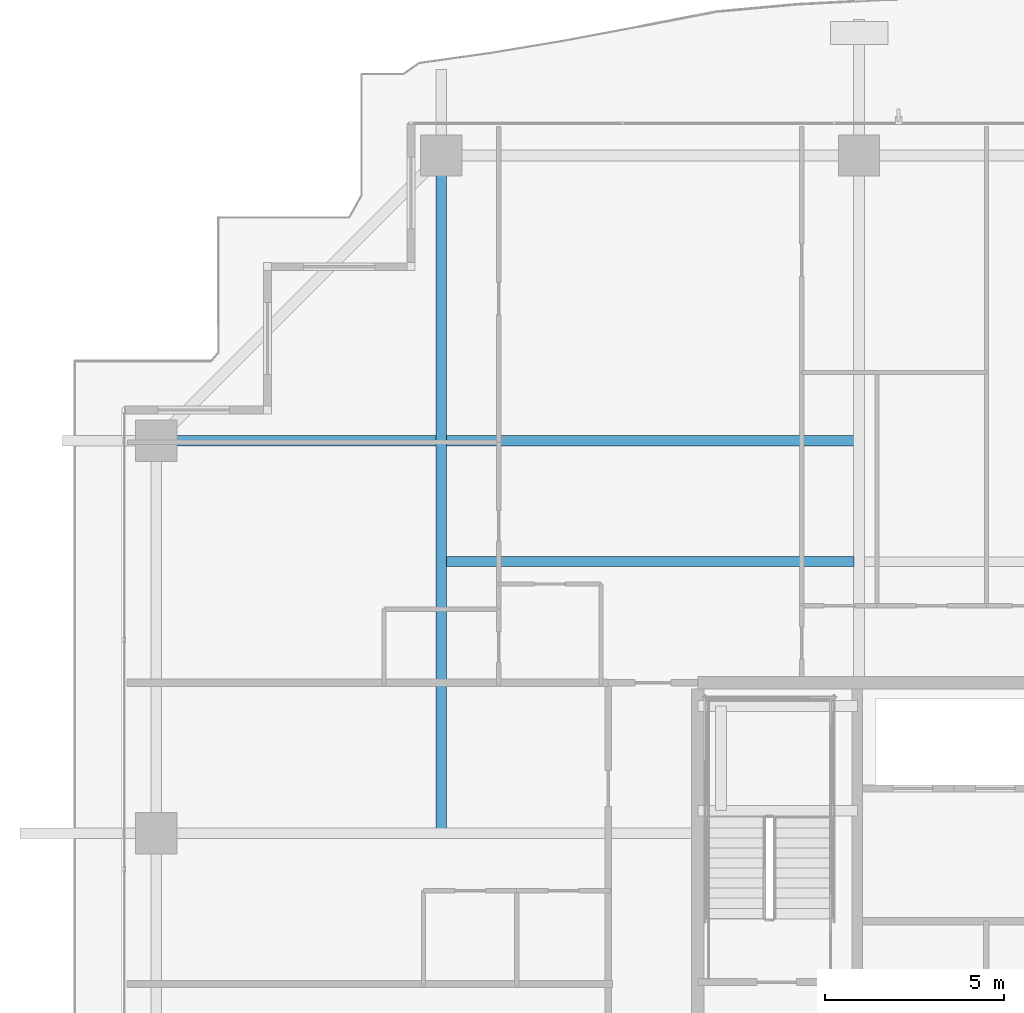
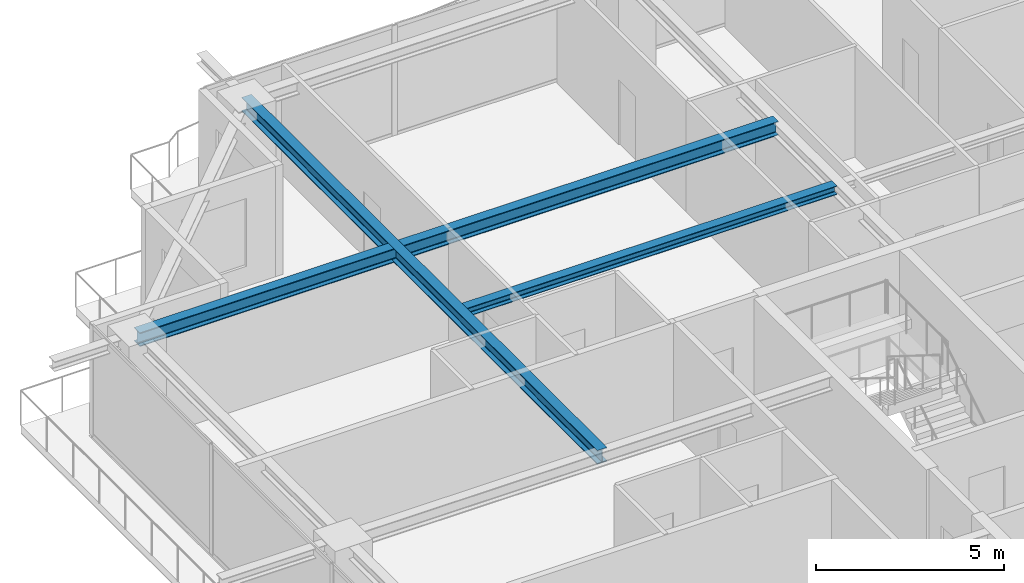
# One storey, part 17 of 38: 3 beams.
"""IFC4 building model written with IfcOpenShell, lengths in metres."""

from ifc_helpers import new_model, si_unit, direction, frame, origin, origin_2d, place, context, subcontext, project, spatial, i_section, extrude, source, transform, mapped, material, material_profile, profile_set, type_object, element, save


model = new_model("IFC4")

# Units and contexts
model_context = context("Model", 3, precision=1e-05, world=origin(), true_north=direction((0.0, 1.0)))
body_context = subcontext(model_context, "Body", "Model", "MODEL_VIEW")
ifc_project = project(units=[si_unit("LENGTHUNIT", "METRE"), si_unit("AREAUNIT", "SQUARE_METRE"), si_unit("VOLUMEUNIT", "CUBIC_METRE"), si_unit("PLANEANGLEUNIT", "RADIAN"), si_unit("MASSUNIT", "GRAM", prefix="KILO")], contexts=[model_context])

# Site, building, storey
site_placement = place(None, origin())
site = spatial("IfcSite", under=ifc_project, at=site_placement, CompositionType="ELEMENT")
building_placement = place(site_placement, origin())
building = spatial("IfcBuilding", under=site, at=building_placement, Name="Serunith Strait Residences", CompositionType="ELEMENT")
storey_placement = place(building_placement, frame((0.0, 0.0, 264.35009765625)))
storey = spatial("IfcBuildingStorey", under=building, at=storey_placement, Name="L66", CompositionType="ELEMENT", Elevation=264.35009765625)

# Beams
ifc_material = material(Name="Steel S355J2", Category="steel")
ifc_material_profile_1 = material_profile(ifc_material, i_section(OverallWidth=0.300048828125, OverallDepth=0.449951171875, WebThickness=0.013916015625, FlangeThickness=0.02587890625, FilletRadius=0.027099609375, at=origin_2d()), Name="HEB 450")
ifc_profile_set_1 = profile_set([ifc_material_profile_1], Name="Steel S355J2")
beam_type_1 = type_object("IfcBeamType", Name="BM-HEB450", PredefinedType="BEAM", material=ifc_profile_set_1)
shared_shape_1 = source(origin(), body_context, "Body", "SweptSolid", [
    extrude(i_section(OverallWidth=0.300048828125, OverallDepth=0.449951171875, WebThickness=0.013916015625, FlangeThickness=0.02587890625, FilletRadius=0.027099609375, at=origin_2d()), origin(), (0.0, 0.0, 1.0), 18.900146484375),
])
beam_1_placement = place(storey_placement, frame((16.25, 29.39990234375, 3.36181640625), z_axis=(0.0, 1.0, 0.0), x_axis=(-1.0, 0.0, 0.0)))
element("IfcBeam", 1, at=beam_1_placement, inside=storey, type_object=beam_type_1, Name="L66 Orthogonal Corner Girder TC-N1", PredefinedType="BEAM", context=body_context, shape_type="MappedRepresentation", body=[
    mapped(shared_shape_1, transform((0.0, 0.0, 0.0), scale=1.0)),
])
shared_shape_2 = source(origin(), body_context, "Body", "SweptSolid", [
    extrude(i_section(OverallWidth=0.300048828125, OverallDepth=0.449951171875, WebThickness=0.013916015625, FlangeThickness=0.02587890625, FilletRadius=0.027099609375, at=origin_2d()), origin(), (0.0, 0.0, 1.0), 19.599853515625),
])
beam_2_placement = place(storey_placement, frame((27.89990234375, 40.35009765625, 3.36181640625), z_axis=(-1.0, 0.0, 0.0), x_axis=(0.0, -1.0, 0.0)))
element("IfcBeam", 2, at=beam_2_placement, inside=storey, type_object=beam_type_1, Name="L66 Orthogonal Corner Girder TC-W4", PredefinedType="BEAM", context=body_context, shape_type="MappedRepresentation", body=[
    mapped(shared_shape_2, transform((0.0, 0.0, 0.0), scale=1.0)),
])
ifc_material_profile_2 = material_profile(ifc_material, i_section(OverallWidth=0.280029296875, OverallDepth=0.280029296875, WebThickness=0.010498046875, FlangeThickness=0.01806640625, FilletRadius=0.02392578125, at=origin_2d()), Name="HEB 280")
ifc_profile_set_2 = profile_set([ifc_material_profile_2], Name="Steel S355J2")
beam_type_2 = type_object("IfcBeamType", Name="BM-HEB280", PredefinedType="JOIST", material=ifc_profile_set_2)
shared_shape_3 = source(origin(), body_context, "Body", "SweptSolid", [
    extrude(i_section(OverallWidth=0.280029296875, OverallDepth=0.280029296875, WebThickness=0.010498046875, FlangeThickness=0.01806640625, FilletRadius=0.02392578125, at=origin_2d()), origin(), (0.0, 0.0, 1.0), 11.35009765625),
])
beam_3_placement = place(storey_placement, frame((16.39990234375, 36.97509765625, 3.447021484375), z_axis=(1.0, 0.0, 0.0), x_axis=(0.0, 1.0, 0.0)))
element("IfcBeam", 3, at=beam_3_placement, inside=storey, type_object=beam_type_2, Name="L66 Composite Floor Joist 04", PredefinedType="JOIST", context=body_context, shape_type="MappedRepresentation", body=[
    mapped(shared_shape_3, transform((0.0, 0.0, 0.0), scale=1.0)),
])

save(model, "model.ifc")
